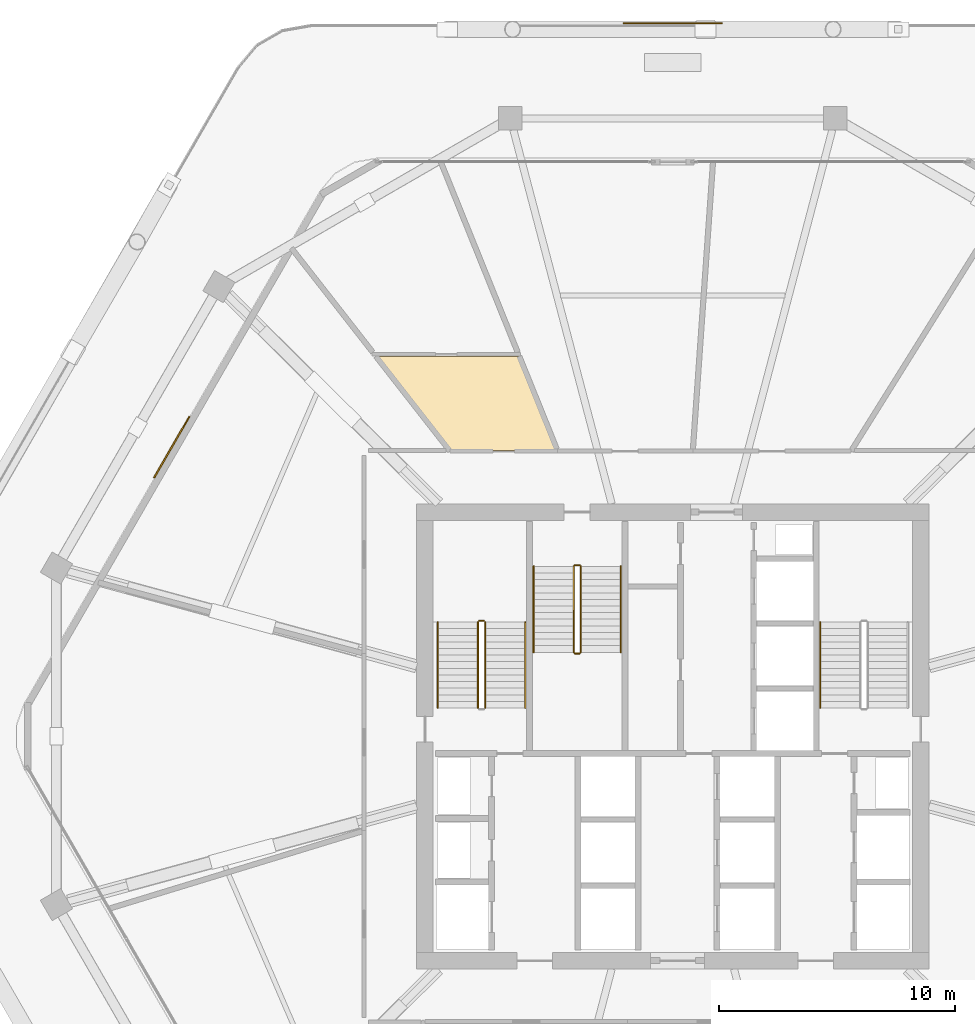
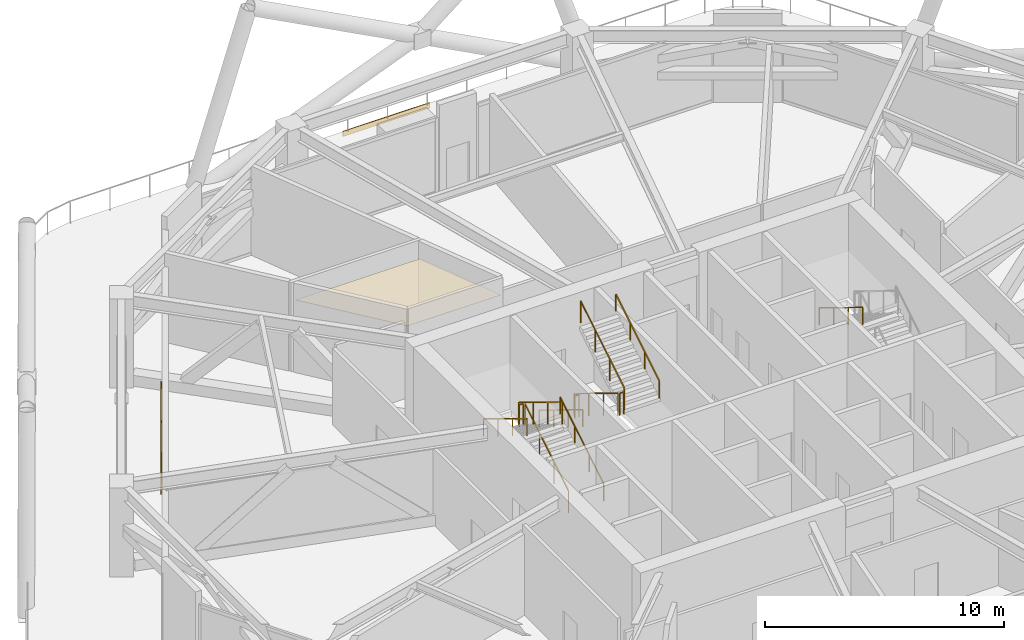
# One storey, part 19 of 20: 12 railings, 2 coverings, 1 shading device.
"""IFC4 building model written with IfcOpenShell, lengths in metres."""

from ifc_helpers import new_model, si_unit, direction, frame, origin, origin_2d, place, context, subcontext, project, spatial, polyline, rectangle, outline, extrude, material, layer, layer_set, type_object, element, save


model = new_model("IFC4")

# Units and contexts
model_context = context("Model", 3, precision=1e-05, world=origin(), true_north=direction((0.0, 1.0)))
body_context = subcontext(model_context, "Body", "Model", "MODEL_VIEW")
ifc_project = project(units=[si_unit("LENGTHUNIT", "METRE"), si_unit("AREAUNIT", "SQUARE_METRE"), si_unit("VOLUMEUNIT", "CUBIC_METRE"), si_unit("PLANEANGLEUNIT", "RADIAN"), si_unit("MASSUNIT", "GRAM", prefix="KILO")], contexts=[model_context])

# Site, building, storey
site_placement = place(None, origin())
site = spatial("IfcSite", under=ifc_project, at=site_placement, CompositionType="ELEMENT")
building_placement = place(site_placement, origin())
building = spatial("IfcBuilding", under=site, at=building_placement, Name="Zuhravey Tower", CompositionType="ELEMENT")
storey_placement = place(building_placement, frame((0.0, 0.0, 145.60009765625)))
storey = spatial("IfcBuildingStorey", under=building, at=storey_placement, Name="L36", CompositionType="ELEMENT", Elevation=145.60009765625)

# Shading device
ifc_material_1 = material(Name="Bronze-anodised perforated aluminium", Category="aluminium")
ifc_layer_1 = layer(ifc_material_1, 0.06005859375)
ifc_layer_set_1 = layer_set([ifc_layer_1], Name="Bronze-anodised perforated aluminium")
shading_device_type = type_object("IfcShadingDeviceType", Name="Girih Mashrabiya Solar Screen", PredefinedType="USERDEFINED", material=ifc_layer_set_1)
shading_device_placement = place(storey_placement, frame((14.77978515625, 44.25146484375, 0.099853515625), z_axis=(0.0, 0.0, 1.0), x_axis=(0.5, 0.866025403784, 0.0)))
element("IfcShadingDevice", 1, at=shading_device_placement, inside=storey, type_object=shading_device_type, Name="L36 Face 3 Girih Solar Screen SCR1", ObjectType="SCREEN", PredefinedType="USERDEFINED", context=body_context, shape_type="SweptSolid", body=[
    extrude(rectangle(XDim=3.0, YDim=0.06005859375, at=origin_2d()), origin(), (0.0, 0.0, 1.0), 3.669921875),
])

# Coverings
ifc_material_2 = material(Name="Moisture-resistant gypsum ceiling board")
ifc_layer_2 = layer(ifc_material_2, 0.02001953125)
ifc_layer_set_2 = layer_set([ifc_layer_2], Name="Moisture-resistant gypsum ceiling board")
covering_type_1 = type_object("IfcCoveringType", Name="Moisture-Resistant Ceiling", PredefinedType="CEILING", material=ifc_layer_set_2)
covering_1_placement = place(storey_placement, frame((0.0, 0.0, 3.58984375)))
element("IfcCovering", 2, at=covering_1_placement, inside=storey, type_object=covering_type_1, Name="L36 Wet-Room Ceiling CLG2", PredefinedType="CEILING", context=body_context, shape_type="SweptSolid", body=[
    extrude(outline(polyline([(31.089599609375, 44.10009765625), (26.57177734375, 44.10009765625), (23.46240234375, 48.080078125), (29.481689453125, 48.080078125), (31.089599609375, 44.10009765625)])), origin(), (0.0, 0.0, 1.0), 0.02001953125),
])
ifc_material_3 = material(Name="Architectural GRC cladding panel")
ifc_layer_3 = layer(ifc_material_3, 0.048095703125)
ifc_layer_set_3 = layer_set([ifc_layer_3], Name="Architectural GRC cladding panel")
covering_type_2 = type_object("IfcCoveringType", Name="Precast Girih Spandrel Cladding CLD2", PredefinedType="CLADDING", material=ifc_layer_set_3)
covering_2_placement = place(storey_placement, frame((36.0, 62.197021484375, -0.26025390625), z_axis=(0.0, 0.0, 1.0), x_axis=(1.0, 0.0, 0.0)))
element("IfcCovering", 3, at=covering_2_placement, inside=storey, type_object=covering_type_2, Name="L36 Face 2 Girih Spandrel Cladding CLD2", PredefinedType="CLADDING", context=body_context, shape_type="SweptSolid", body=[
    extrude(rectangle(XDim=4.199951171875, YDim=0.048095703125, at=origin_2d()), origin(), (0.0, 0.0, 1.0), 0.260009765625),
])

# Railings
ifc_material_4 = material(Name="Brushed stainless steel", Category="steel")
railing_type_1 = type_object("IfcRailingType", Name="Stair Wall Handrail 900", PredefinedType="HANDRAIL", material=ifc_material_4)
railing_1_placement = place(storey_placement, frame((29.75, 33.199951171875, 0.17138671875)))
element("IfcRailing", 4, at=railing_1_placement, inside=storey, type_object=railing_type_1, Name="L36 ST1 stair handrail 1", PredefinedType="HANDRAIL", context=body_context, shape_type="SweptSolid", body=[
    extrude(rectangle(XDim=0.048095703125, YDim=0.048095703125, at=origin_2d()), frame((0.0, 0.001708984375, 0.876953125), z_axis=(0.0, 0.852865859571, 0.52213008492), x_axis=(-1.0, 0.0, 0.0)), (0.0, 0.0, 1.0), 4.26416015625),
    extrude(rectangle(XDim=0.0419921875, YDim=0.0419921875, at=origin_2d()), origin(), (0.0, 0.0, 1.0), 0.849853515625),
    extrude(rectangle(XDim=0.0419921875, YDim=0.0419921875, at=origin_2d()), frame((0.0, 1.21337890625, 0.742919921875)), (0.0, 0.0, 1.0), 0.849853515625),
    extrude(rectangle(XDim=0.0419921875, YDim=0.0419921875, at=origin_2d()), frame((0.0, 2.4267578125, 1.485595703125)), (0.0, 0.0, 1.0), 0.849853515625),
    extrude(rectangle(XDim=0.0419921875, YDim=0.0419921875, at=origin_2d()), frame((0.0, 3.64013671875, 2.228515625)), (0.0, 0.0, 1.0), 0.849853515625),
])
for number, where, name in (
    (5, (26.050048828125, 36.840087890625, 2.5712890625), "L36 ST1 stair handrail 2"),
    (6, (42.25, 36.840087890625, 2.5712890625), "L36 ST2 stair handrail 2"),
):
    element("IfcRailing", number, at=place(storey_placement, frame(where)), inside=storey, type_object=railing_type_1, Name=name, PredefinedType="HANDRAIL", context=body_context, shape_type="SweptSolid", body=[
        extrude(rectangle(XDim=0.048095703125, YDim=0.048095703125, at=origin_2d()), frame((0.0, -0.001708984375, 0.876953125), z_axis=(0.0, -0.852865859571, 0.52213008492), x_axis=(1.0, 0.0, 0.0)), (0.0, 0.0, 1.0), 4.26416015625),
        extrude(rectangle(XDim=0.0419921875, YDim=0.0419921875, at=origin_2d()), origin(), (0.0, 0.0, 1.0), 0.849853515625),
        extrude(rectangle(XDim=0.0419921875, YDim=0.0419921875, at=origin_2d()), frame((0.0, -1.21337890625, 0.742919921875)), (0.0, 0.0, 1.0), 0.849853515625),
        extrude(rectangle(XDim=0.0419921875, YDim=0.0419921875, at=origin_2d()), frame((0.0, -2.4267578125, 1.485595703125)), (0.0, 0.0, 1.0), 0.849853515625),
        extrude(rectangle(XDim=0.0419921875, YDim=0.0419921875, at=origin_2d()), frame((0.0, -3.64013671875, 2.228515625)), (0.0, 0.0, 1.0), 0.849853515625),
    ])
railing_2_placement = place(storey_placement, frame((30.10009765625, 39.199951171875, 0.17138671875)))
element("IfcRailing", 7, at=railing_2_placement, inside=storey, type_object=railing_type_1, Name="L36 ST3 stair handrail 1", PredefinedType="HANDRAIL", context=body_context, shape_type="SweptSolid", body=[
    extrude(rectangle(XDim=0.048095703125, YDim=0.048095703125, at=origin_2d()), frame((0.0, -0.001708984375, 0.876953125), z_axis=(0.0, -0.852850264322, 0.5221555579), x_axis=(1.0, 0.0, 0.0)), (0.0, 0.0, 1.0), 4.263916015625),
    extrude(rectangle(XDim=0.0419921875, YDim=0.0419921875, at=origin_2d()), origin(), (0.0, 0.0, 1.0), 0.849853515625),
    extrude(rectangle(XDim=0.0419921875, YDim=0.0419921875, at=origin_2d()), frame((0.0, -1.21337890625, 0.742919921875)), (0.0, 0.0, 1.0), 0.849853515625),
    extrude(rectangle(XDim=0.0419921875, YDim=0.0419921875, at=origin_2d()), frame((0.0, -2.426513671875, 1.485595703125)), (0.0, 0.0, 1.0), 0.849853515625),
    extrude(rectangle(XDim=0.0419921875, YDim=0.0419921875, at=origin_2d()), frame((0.0, -3.639892578125, 2.228515625)), (0.0, 0.0, 1.0), 0.849853515625),
])
railing_3_placement = place(storey_placement, frame((33.800048828125, 35.56005859375, 2.5712890625)))
element("IfcRailing", 8, at=railing_3_placement, inside=storey, type_object=railing_type_1, Name="L36 ST3 stair handrail 2", PredefinedType="HANDRAIL", context=body_context, shape_type="SweptSolid", body=[
    extrude(rectangle(XDim=0.048095703125, YDim=0.048095703125, at=origin_2d()), frame((0.0, 0.001708984375, 0.876953125), z_axis=(0.0, 0.852850264322, 0.5221555579), x_axis=(-1.0, 0.0, 0.0)), (0.0, 0.0, 1.0), 4.263916015625),
    extrude(rectangle(XDim=0.0419921875, YDim=0.0419921875, at=origin_2d()), origin(), (0.0, 0.0, 1.0), 0.849853515625),
    extrude(rectangle(XDim=0.0419921875, YDim=0.0419921875, at=origin_2d()), frame((0.0, 1.21337890625, 0.742919921875)), (0.0, 0.0, 1.0), 0.849853515625),
    extrude(rectangle(XDim=0.0419921875, YDim=0.0419921875, at=origin_2d()), frame((0.0, 2.426513671875, 1.485595703125)), (0.0, 0.0, 1.0), 0.849853515625),
    extrude(rectangle(XDim=0.0419921875, YDim=0.0419921875, at=origin_2d()), frame((0.0, 3.639892578125, 2.228515625)), (0.0, 0.0, 1.0), 0.849853515625),
])
ifc_material_5 = material(Name="Painted tubular steel", Category="steel")
railing_type_2 = type_object("IfcRailingType", Name="Stair Well Guardrail 1150", PredefinedType="GUARDRAIL", material=ifc_material_5)
railing_4_placement = place(storey_placement, frame((28.050048828125, 33.199951171875, 0.17138671875)))
element("IfcRailing", 9, at=railing_4_placement, inside=storey, type_object=railing_type_2, Name="L36 ST1 stair guard 1", PredefinedType="GUARDRAIL", context=body_context, shape_type="SweptSolid", body=[
    extrude(rectangle(XDim=0.048095703125, YDim=0.048095703125, at=origin_2d()), frame((0.0, 0.001708984375, 1.126953125), z_axis=(0.0, 0.852865859571, 0.52213008492), x_axis=(-1.0, 0.0, 0.0)), (0.0, 0.0, 1.0), 4.26416015625),
    extrude(rectangle(XDim=0.0419921875, YDim=0.0419921875, at=origin_2d()), origin(), (0.0, 0.0, 1.0), 1.099853515625),
    extrude(rectangle(XDim=0.0419921875, YDim=0.0419921875, at=origin_2d()), frame((0.0, 1.21337890625, 0.742919921875)), (0.0, 0.0, 1.0), 1.099853515625),
    extrude(rectangle(XDim=0.0419921875, YDim=0.0419921875, at=origin_2d()), frame((0.0, 2.4267578125, 1.485595703125)), (0.0, 0.0, 1.0), 1.099853515625),
    extrude(rectangle(XDim=0.0419921875, YDim=0.0419921875, at=origin_2d()), frame((0.0, 3.64013671875, 2.228515625)), (0.0, 0.0, 1.0), 1.099853515625),
])
railing_5_placement = place(storey_placement, frame((28.0, 36.889892578125, 2.39990234375)))
element("IfcRailing", 10, at=railing_5_placement, inside=storey, type_object=railing_type_2, Name="L36 ST1 stair guard 2", PredefinedType="GUARDRAIL", context=body_context, shape_type="SweptSolid", body=[
    extrude(rectangle(XDim=0.048095703125, YDim=0.048095703125, at=origin_2d()), frame((-0.001953125, 0.0, 1.1259765625), z_axis=(-1.0, 0.0, 0.0), x_axis=(0.0, -1.0, 0.0)), (0.0, 0.0, 1.0), 0.196044921875),
    extrude(rectangle(XDim=0.0419921875, YDim=0.0419921875, at=origin_2d()), origin(), (0.0, 0.0, 1.0), 1.099853515625),
    extrude(rectangle(XDim=0.0419921875, YDim=0.0419921875, at=origin_2d()), frame((-0.199951171875, 0.0, 0.0)), (0.0, 0.0, 1.0), 1.099853515625),
])
railing_6_placement = place(storey_placement, frame((27.75, 36.840087890625, 2.5712890625)))
element("IfcRailing", 11, at=railing_6_placement, inside=storey, type_object=railing_type_2, Name="L36 ST1 stair guard 3", PredefinedType="GUARDRAIL", context=body_context, shape_type="SweptSolid", body=[
    extrude(rectangle(XDim=0.048095703125, YDim=0.048095703125, at=origin_2d()), frame((0.0, -0.001708984375, 1.126953125), z_axis=(0.0, -0.852865859571, 0.52213008492), x_axis=(1.0, 0.0, 0.0)), (0.0, 0.0, 1.0), 4.26416015625),
    extrude(rectangle(XDim=0.0419921875, YDim=0.0419921875, at=origin_2d()), origin(), (0.0, 0.0, 1.0), 1.099853515625),
    extrude(rectangle(XDim=0.0419921875, YDim=0.0419921875, at=origin_2d()), frame((0.0, -1.21337890625, 0.742919921875)), (0.0, 0.0, 1.0), 1.099853515625),
    extrude(rectangle(XDim=0.0419921875, YDim=0.0419921875, at=origin_2d()), frame((0.0, -2.4267578125, 1.485595703125)), (0.0, 0.0, 1.0), 1.099853515625),
    extrude(rectangle(XDim=0.0419921875, YDim=0.0419921875, at=origin_2d()), frame((0.0, -3.64013671875, 2.228515625)), (0.0, 0.0, 1.0), 1.099853515625),
])
railing_7_placement = place(storey_placement, frame((31.800048828125, 39.199951171875, 0.17138671875)))
element("IfcRailing", 12, at=railing_7_placement, inside=storey, type_object=railing_type_2, Name="L36 ST3 stair guard 1", PredefinedType="GUARDRAIL", context=body_context, shape_type="SweptSolid", body=[
    extrude(rectangle(XDim=0.048095703125, YDim=0.048095703125, at=origin_2d()), frame((0.0, -0.001708984375, 1.126953125), z_axis=(0.0, -0.852850264322, 0.5221555579), x_axis=(1.0, 0.0, 0.0)), (0.0, 0.0, 1.0), 4.263916015625),
    extrude(rectangle(XDim=0.0419921875, YDim=0.0419921875, at=origin_2d()), origin(), (0.0, 0.0, 1.0), 1.099853515625),
    extrude(rectangle(XDim=0.0419921875, YDim=0.0419921875, at=origin_2d()), frame((0.0, -1.21337890625, 0.742919921875)), (0.0, 0.0, 1.0), 1.099853515625),
    extrude(rectangle(XDim=0.0419921875, YDim=0.0419921875, at=origin_2d()), frame((0.0, -2.426513671875, 1.485595703125)), (0.0, 0.0, 1.0), 1.099853515625),
    extrude(rectangle(XDim=0.0419921875, YDim=0.0419921875, at=origin_2d()), frame((0.0, -3.639892578125, 2.228515625)), (0.0, 0.0, 1.0), 1.099853515625),
])
railing_8_placement = place(storey_placement, frame((31.85009765625, 35.510009765625, 2.39990234375)))
element("IfcRailing", 13, at=railing_8_placement, inside=storey, type_object=railing_type_2, Name="L36 ST3 stair guard 2", PredefinedType="GUARDRAIL", context=body_context, shape_type="SweptSolid", body=[
    extrude(rectangle(XDim=0.048095703125, YDim=0.048095703125, at=origin_2d()), frame((0.001953125, 0.0, 1.1259765625), z_axis=(1.0, 0.0, 0.0), x_axis=(0.0, 1.0, 0.0)), (0.0, 0.0, 1.0), 0.196044921875),
    extrude(rectangle(XDim=0.0419921875, YDim=0.0419921875, at=origin_2d()), origin(), (0.0, 0.0, 1.0), 1.099853515625),
    extrude(rectangle(XDim=0.0419921875, YDim=0.0419921875, at=origin_2d()), frame((0.199951171875, 0.0, 0.0)), (0.0, 0.0, 1.0), 1.099853515625),
])
railing_9_placement = place(storey_placement, frame((32.10009765625, 35.56005859375, 2.5712890625)))
element("IfcRailing", 14, at=railing_9_placement, inside=storey, type_object=railing_type_2, Name="L36 ST3 stair guard 3", PredefinedType="GUARDRAIL", context=body_context, shape_type="SweptSolid", body=[
    extrude(rectangle(XDim=0.048095703125, YDim=0.048095703125, at=origin_2d()), frame((0.0, 0.001708984375, 1.126953125), z_axis=(0.0, 0.852850264322, 0.5221555579), x_axis=(-1.0, 0.0, 0.0)), (0.0, 0.0, 1.0), 4.263916015625),
    extrude(rectangle(XDim=0.0419921875, YDim=0.0419921875, at=origin_2d()), origin(), (0.0, 0.0, 1.0), 1.099853515625),
    extrude(rectangle(XDim=0.0419921875, YDim=0.0419921875, at=origin_2d()), frame((0.0, 1.21337890625, 0.742919921875)), (0.0, 0.0, 1.0), 1.099853515625),
    extrude(rectangle(XDim=0.0419921875, YDim=0.0419921875, at=origin_2d()), frame((0.0, 2.426513671875, 1.485595703125)), (0.0, 0.0, 1.0), 1.099853515625),
    extrude(rectangle(XDim=0.0419921875, YDim=0.0419921875, at=origin_2d()), frame((0.0, 3.639892578125, 2.228515625)), (0.0, 0.0, 1.0), 1.099853515625),
])
railing_10_placement = place(storey_placement, frame((31.85009765625, 39.25, 0.0)))
element("IfcRailing", 15, at=railing_10_placement, inside=storey, type_object=railing_type_2, Name="L36 ST3 stair guard 4", PredefinedType="GUARDRAIL", context=body_context, shape_type="SweptSolid", body=[
    extrude(rectangle(XDim=0.048095703125, YDim=0.048095703125, at=origin_2d()), frame((0.001953125, 0.0, 1.1259765625), z_axis=(1.0, 0.0, 0.0), x_axis=(0.0, 1.0, 0.0)), (0.0, 0.0, 1.0), 0.196044921875),
    extrude(rectangle(XDim=0.0419921875, YDim=0.0419921875, at=origin_2d()), origin(), (0.0, 0.0, 1.0), 1.099853515625),
    extrude(rectangle(XDim=0.0419921875, YDim=0.0419921875, at=origin_2d()), frame((0.199951171875, 0.0, 0.0)), (0.0, 0.0, 1.0), 1.099853515625),
])

save(model, "model.ifc")
